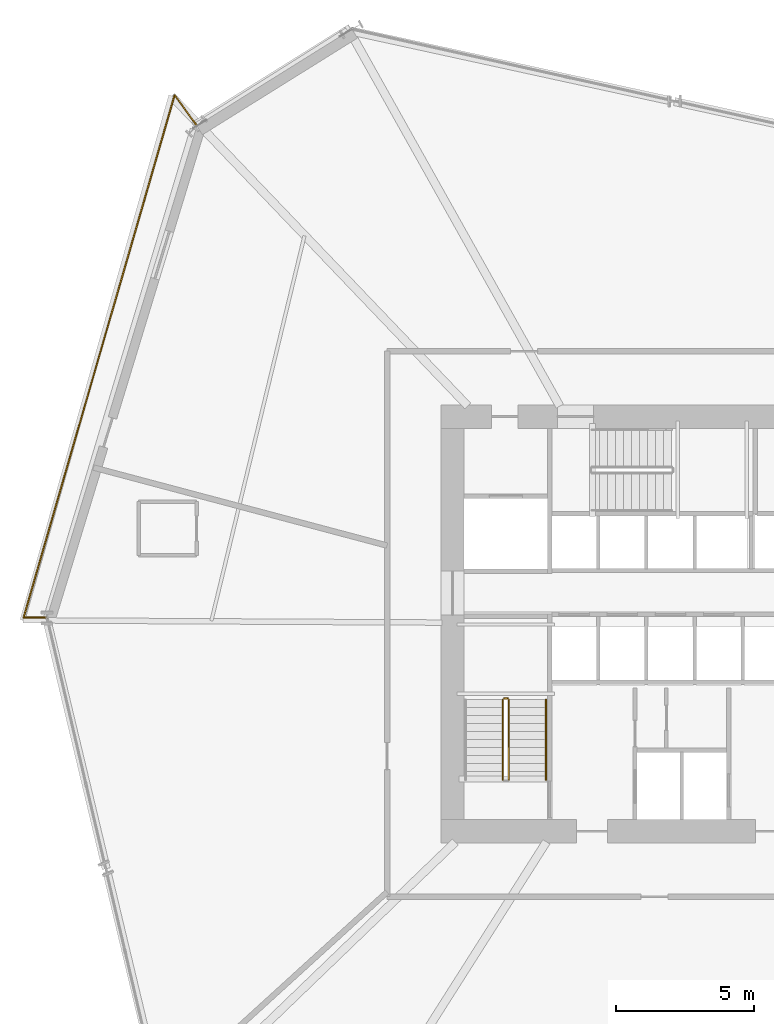
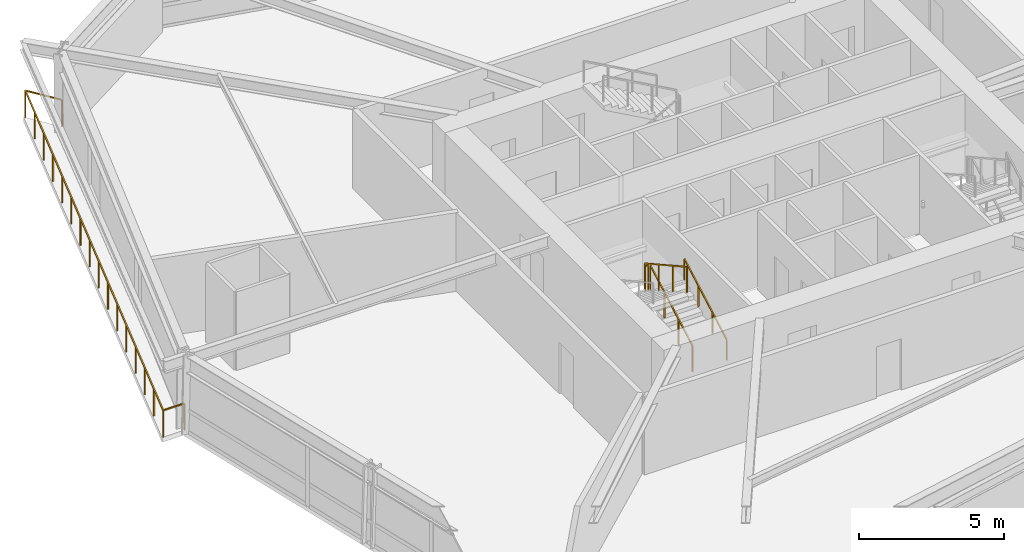
# One storey, part 22 of 24: 5 railings.
"""IFC4 building model written with IfcOpenShell, lengths in metres."""

from ifc_helpers import new_model, si_unit, direction, frame, origin, origin_2d, place, context, subcontext, project, spatial, rectangle, extrude, material, type_object, element, save


model = new_model("IFC4")

# Units and contexts
model_context = context("Model", 3, precision=1e-05, world=origin(), true_north=direction((0.0, 1.0)))
body_context = subcontext(model_context, "Body", "Model", "MODEL_VIEW")
ifc_project = project(units=[si_unit("LENGTHUNIT", "METRE"), si_unit("AREAUNIT", "SQUARE_METRE"), si_unit("VOLUMEUNIT", "CUBIC_METRE"), si_unit("PLANEANGLEUNIT", "RADIAN"), si_unit("MASSUNIT", "GRAM", prefix="KILO")], contexts=[model_context])

# Site, building, storey
site_placement = place(None, origin())
site = spatial("IfcSite", under=ifc_project, at=site_placement, CompositionType="ELEMENT")
building_placement = place(site_placement, origin())
building = spatial("IfcBuilding", under=site, at=building_placement, Name="Olszyna Solenne Hotel", CompositionType="ELEMENT")
storey_placement = place(building_placement, frame((0.0, 0.0, 36.39990234375)))
storey = spatial("IfcBuildingStorey", under=building, at=storey_placement, Name="L08", CompositionType="ELEMENT", Elevation=36.39990234375)

# Railings
ifc_material_1 = material(Name="Anodised bronze aluminium", Category="aluminium")
railing_type_1 = type_object("IfcRailingType", Name="GR-110", PredefinedType="BALUSTRADE", material=ifc_material_1)
railing_1_placement = place(storey_placement, frame((20.399658203125, 44.679443359375, 0.0)))
element("IfcRailing", 1, at=railing_1_placement, inside=storey, type_object=railing_type_1, Name="Loggia balcony balustrade guard GR-L08-LG2", PredefinedType="BALUSTRADE", context=body_context, shape_type="SweptSolid", body=[
    extrude(rectangle(XDim=0.048095703125, YDim=0.048095703125, at=origin_2d()), frame((0.0, 0.0, 1.1259765625), z_axis=(-0.586633938005, 0.809852222804, 0.0), x_axis=(-0.809852222804, -0.586633938005, 0.0)), (0.0, 0.0, 1.0), 1.379150390625),
    extrude(rectangle(XDim=0.048095703125, YDim=0.048095703125, at=origin_2d()), frame((-0.80908203125, 1.116943359375, 1.1259765625), z_axis=(-0.277701523154, -0.960667405525, 0.0), x_axis=(0.960667405525, -0.277701523154, 0.0)), (0.0, 0.0, 1.0), 19.736083984375),
    extrude(rectangle(XDim=0.048095703125, YDim=0.048095703125, at=origin_2d()), frame((-6.289794921875, -17.8427734375, 1.1259765625), z_axis=(0.999991837668, -0.004040371061, 0.0), x_axis=(0.004040371061, 0.999991837668, 0.0)), (0.0, 0.0, 1.0), 0.845947265625),
    extrude(rectangle(XDim=0.0419921875, YDim=0.0419921875, at=origin_2d()), origin(), (0.0, 0.0, 1.0), 1.101806640625),
    extrude(rectangle(XDim=0.0419921875, YDim=0.0419921875, at=origin_2d()), frame((-0.80908203125, 1.116943359375, 0.0)), (0.0, 0.0, 1.0), 1.101806640625),
    extrude(rectangle(XDim=0.0419921875, YDim=0.0419921875, at=origin_2d()), frame((-1.174560546875, -0.14697265625, 0.0)), (0.0, 0.0, 1.0), 1.101806640625),
    extrude(rectangle(XDim=0.0419921875, YDim=0.0419921875, at=origin_2d()), frame((-1.539794921875, -1.4111328125, 0.0)), (0.0, 0.0, 1.0), 1.101806640625),
    extrude(rectangle(XDim=0.0419921875, YDim=0.0419921875, at=origin_2d()), frame((-1.9052734375, -2.675048828125, 0.0)), (0.0, 0.0, 1.0), 1.101806640625),
    extrude(rectangle(XDim=0.0419921875, YDim=0.0419921875, at=origin_2d()), frame((-2.2705078125, -3.93896484375, 0.0)), (0.0, 0.0, 1.0), 1.101806640625),
    extrude(rectangle(XDim=0.0419921875, YDim=0.0419921875, at=origin_2d()), frame((-2.635986328125, -5.202880859375, 0.0)), (0.0, 0.0, 1.0), 1.101806640625),
    extrude(rectangle(XDim=0.0419921875, YDim=0.0419921875, at=origin_2d()), frame((-3.00146484375, -6.467041015625, 0.0)), (0.0, 0.0, 1.0), 1.101806640625),
    extrude(rectangle(XDim=0.0419921875, YDim=0.0419921875, at=origin_2d()), frame((-3.36669921875, -7.73095703125, 0.0)), (0.0, 0.0, 1.0), 1.101806640625),
    extrude(rectangle(XDim=0.0419921875, YDim=0.0419921875, at=origin_2d()), frame((-3.732177734375, -8.994873046875, 0.0)), (0.0, 0.0, 1.0), 1.101806640625),
    extrude(rectangle(XDim=0.0419921875, YDim=0.0419921875, at=origin_2d()), frame((-4.097412109375, -10.2587890625, 0.0)), (0.0, 0.0, 1.0), 1.101806640625),
    extrude(rectangle(XDim=0.0419921875, YDim=0.0419921875, at=origin_2d()), frame((-4.462890625, -11.52294921875, 0.0)), (0.0, 0.0, 1.0), 1.101806640625),
    extrude(rectangle(XDim=0.0419921875, YDim=0.0419921875, at=origin_2d()), frame((-4.828369140625, -12.786865234375, 0.0)), (0.0, 0.0, 1.0), 1.101806640625),
    extrude(rectangle(XDim=0.0419921875, YDim=0.0419921875, at=origin_2d()), frame((-5.193603515625, -14.05078125, 0.0)), (0.0, 0.0, 1.0), 1.101806640625),
    extrude(rectangle(XDim=0.0419921875, YDim=0.0419921875, at=origin_2d()), frame((-5.55908203125, -15.314697265625, 0.0)), (0.0, 0.0, 1.0), 1.101806640625),
    extrude(rectangle(XDim=0.0419921875, YDim=0.0419921875, at=origin_2d()), frame((-5.92431640625, -16.578857421875, 0.0)), (0.0, 0.0, 1.0), 1.101806640625),
    extrude(rectangle(XDim=0.0419921875, YDim=0.0419921875, at=origin_2d()), frame((-6.289794921875, -17.8427734375, 0.0)), (0.0, 0.0, 1.0), 1.101806640625),
    extrude(rectangle(XDim=0.0419921875, YDim=0.0419921875, at=origin_2d()), frame((-5.44384765625, -17.84619140625, 0.0)), (0.0, 0.0, 1.0), 1.101806640625),
])
railing_2_placement = place(storey_placement, frame((31.719970703125, 20.949951171875, 0.161376953125)))
element("IfcRailing", 2, at=railing_2_placement, inside=storey, type_object=railing_type_1, Name="L08 ST1 stair guard 1", PredefinedType="BALUSTRADE", context=body_context, shape_type="SweptSolid", body=[
    extrude(rectangle(XDim=0.048095703125, YDim=0.048095703125, at=origin_2d()), frame((0.0, 0.0, 1.076171875), z_axis=(0.0, 0.873827439584, 0.48623616261), x_axis=(-1.0, 0.0, 0.0)), (0.0, 0.0, 1.0), 3.31884765625),
    extrude(rectangle(XDim=0.0419921875, YDim=0.0419921875, at=origin_2d()), origin(), (0.0, 0.0, 1.0), 1.052001953125),
    extrude(rectangle(XDim=0.0419921875, YDim=0.0419921875, at=origin_2d()), frame((0.0, 0.966796875, 0.537841796875)), (0.0, 0.0, 1.0), 1.052001953125),
    extrude(rectangle(XDim=0.0419921875, YDim=0.0419921875, at=origin_2d()), frame((0.0, 1.933349609375, 1.075927734375)), (0.0, 0.0, 1.0), 1.052001953125),
    extrude(rectangle(XDim=0.0419921875, YDim=0.0419921875, at=origin_2d()), frame((0.0, 2.900146484375, 1.61376953125)), (0.0, 0.0, 1.0), 1.052001953125),
])
railing_3_placement = place(storey_placement, frame((31.669921875, 23.89990234375, 1.775146484375)))
element("IfcRailing", 3, at=railing_3_placement, inside=storey, type_object=railing_type_1, Name="L08 ST1 stair guard 2", PredefinedType="BALUSTRADE", context=body_context, shape_type="SweptSolid", body=[
    extrude(rectangle(XDim=0.048095703125, YDim=0.048095703125, at=origin_2d()), frame((0.0, 0.0, 1.076171875), z_axis=(-1.0, 0.0, 0.0), x_axis=(0.0, -1.0, 0.0)), (0.0, 0.0, 1.0), 0.119873046875),
    extrude(rectangle(XDim=0.0419921875, YDim=0.0419921875, at=origin_2d()), origin(), (0.0, 0.0, 1.0), 1.052001953125),
    extrude(rectangle(XDim=0.0419921875, YDim=0.0419921875, at=origin_2d()), frame((-0.119873046875, 0.0, 0.0)), (0.0, 0.0, 1.0), 1.052001953125),
])
railing_4_placement = place(storey_placement, frame((31.5, 23.85009765625, 1.9365234375)))
element("IfcRailing", 4, at=railing_4_placement, inside=storey, type_object=railing_type_1, Name="L08 ST1 stair guard 3", PredefinedType="BALUSTRADE", context=body_context, shape_type="SweptSolid", body=[
    extrude(rectangle(XDim=0.048095703125, YDim=0.048095703125, at=origin_2d()), frame((0.0, 0.0, 1.076171875), z_axis=(0.0, -0.873858693841, 0.486179990537), x_axis=(1.0, 0.0, 0.0)), (0.0, 0.0, 1.0), 3.31884765625),
    extrude(rectangle(XDim=0.0419921875, YDim=0.0419921875, at=origin_2d()), origin(), (0.0, 0.0, 1.0), 1.052001953125),
    extrude(rectangle(XDim=0.0419921875, YDim=0.0419921875, at=origin_2d()), frame((0.0, -0.966796875, 0.537841796875)), (0.0, 0.0, 1.0), 1.052001953125),
    extrude(rectangle(XDim=0.0419921875, YDim=0.0419921875, at=origin_2d()), frame((0.0, -1.933349609375, 1.07568359375)), (0.0, 0.0, 1.0), 1.052001953125),
    extrude(rectangle(XDim=0.0419921875, YDim=0.0419921875, at=origin_2d()), frame((0.0, -2.900146484375, 1.613525390625)), (0.0, 0.0, 1.0), 1.052001953125),
])
ifc_material_2 = material(Name="Steel S355J2", Category="steel")
railing_type_2 = type_object("IfcRailingType", Name="HR-090", PredefinedType="HANDRAIL", material=ifc_material_2)
railing_5_placement = place(storey_placement, frame((33.070068359375, 20.949951171875, 0.161376953125)))
element("IfcRailing", 5, at=railing_5_placement, inside=storey, type_object=railing_type_2, Name="L08 ST1 stair handrail 1", PredefinedType="HANDRAIL", context=body_context, shape_type="SweptSolid", body=[
    extrude(rectangle(XDim=0.048095703125, YDim=0.048095703125, at=origin_2d()), frame((0.0, 0.0, 0.8759765625), z_axis=(0.0, 0.873827439584, 0.48623616261), x_axis=(-1.0, 0.0, 0.0)), (0.0, 0.0, 1.0), 3.31884765625),
    extrude(rectangle(XDim=0.0419921875, YDim=0.0419921875, at=origin_2d()), origin(), (0.0, 0.0, 1.0), 0.851806640625),
    extrude(rectangle(XDim=0.0419921875, YDim=0.0419921875, at=origin_2d()), frame((0.0, 0.966796875, 0.537841796875)), (0.0, 0.0, 1.0), 0.851806640625),
    extrude(rectangle(XDim=0.0419921875, YDim=0.0419921875, at=origin_2d()), frame((0.0, 1.933349609375, 1.075927734375)), (0.0, 0.0, 1.0), 0.851806640625),
    extrude(rectangle(XDim=0.0419921875, YDim=0.0419921875, at=origin_2d()), frame((0.0, 2.900146484375, 1.61376953125)), (0.0, 0.0, 1.0), 0.851806640625),
])

save(model, "model.ifc")
